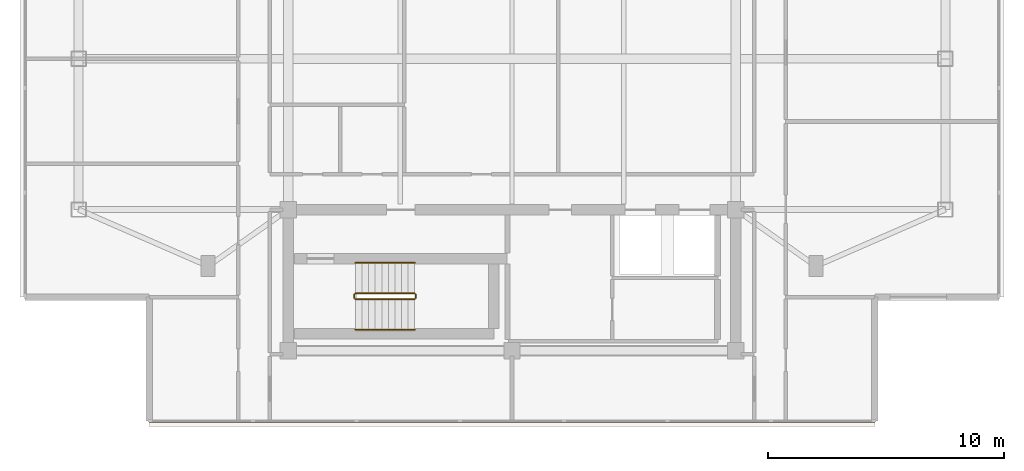
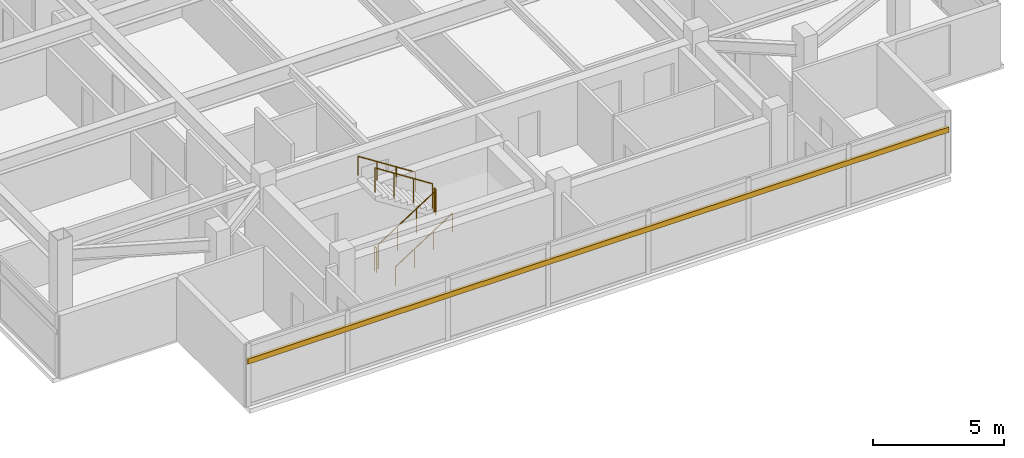
# One storey, part 9 of 11: 6 railings, 1 shading device.
"""IFC4 building model written with IfcOpenShell, lengths in metres."""

from ifc_helpers import new_model, si_unit, direction, frame, origin, origin_2d, place, context, subcontext, project, spatial, rectangle, circle, extrude, material, material_profile, profile_set, type_object, element, save


model = new_model("IFC4")

# Units and contexts
model_context = context("Model", 3, precision=1e-05, world=origin(), true_north=direction((0.0, 1.0)))
body_context = subcontext(model_context, "Body", "Model", "MODEL_VIEW")
ifc_project = project(units=[si_unit("LENGTHUNIT", "METRE"), si_unit("AREAUNIT", "SQUARE_METRE"), si_unit("VOLUMEUNIT", "CUBIC_METRE"), si_unit("PLANEANGLEUNIT", "RADIAN"), si_unit("MASSUNIT", "GRAM", prefix="KILO")], contexts=[model_context])

# Site, building, storey
site_placement = place(None, origin())
site = spatial("IfcSite", under=ifc_project, at=site_placement, CompositionType="ELEMENT")
building_placement = place(site_placement, origin())
building = spatial("IfcBuilding", under=site, at=building_placement, Name="Mirazonda Arch Towers", CompositionType="ELEMENT")
storey_placement = place(building_placement, frame((0.0, 0.0, 259.89990234375)))
storey = spatial("IfcBuildingStorey", under=building, at=storey_placement, Name="L74", CompositionType="ELEMENT", Elevation=259.89990234375)

# Shading device
ifc_material_1 = material(Name="Kiln-Fired Architectural Terracotta", Category="masonry")
ifc_material_profile = material_profile(ifc_material_1, rectangle(XDim=0.1201171875, YDim=0.239990234375, at=origin_2d()), Name="TERRA-BAG-120x240")
ifc_profile_set = profile_set([ifc_material_profile], Name="Kiln-Fired Architectural Terracotta")
shading_device_type = type_object("IfcShadingDeviceType", Name="BAGUETTE-1", PredefinedType="USERDEFINED", material=ifc_profile_set)
shading_device_placement = place(storey_placement, frame((35.905029296875, 9.416015625, 2.109619140625), z_axis=(-1.0, 0.0, 0.0), x_axis=(0.0, -1.0, 0.0)))
element("IfcShadingDevice", 1, at=shading_device_placement, inside=storey, type_object=shading_device_type, Name="L74 Glazed Terracotta Sun-Screen Baguette CW-L74-T1-S", ObjectType="BAGUETTE", PredefinedType="USERDEFINED", context=body_context, shape_type="SweptSolid", body=[
    extrude(rectangle(XDim=0.1201171875, YDim=0.239990234375, at=origin_2d()), origin(), (0.0, 0.0, 1.0), 30.81005859375),
])

# Railings
ifc_material_2 = material(Name="Architectural Brushed Steel S355", Category="steel")
railing_type_1 = type_object("IfcRailingType", Name="GUARD-STAIR-1120", PredefinedType="GUARDRAIL", material=ifc_material_2)
railing_1_placement = place(storey_placement, frame((13.85009765625, 14.60009765625, 0.18017578125)))
element("IfcRailing", 2, at=railing_1_placement, inside=storey, type_object=railing_type_1, Name="L74 ST-T1S stair guard 1", PredefinedType="GUARDRAIL", context=body_context, shape_type="SweptSolid", body=[
    extrude(circle(Radius=0.02392578125, at=origin_2d()), frame((0.0, 0.0, 1.1259765625), z_axis=(0.841199657755, 0.0, 0.540724639528), x_axis=(0.0, 1.0, 0.0)), (0.0, 0.0, 1.0), 2.995849609375),
    extrude(circle(Radius=0.02099609375, at=origin_2d()), origin(), (0.0, 0.0, 1.0), 1.101806640625),
    extrude(circle(Radius=0.02099609375, at=origin_2d()), frame((0.840087890625, 0.0, 0.5400390625)), (0.0, 0.0, 1.0), 1.101806640625),
    extrude(circle(Radius=0.02099609375, at=origin_2d()), frame((1.679931640625, 0.0, 1.079833984375)), (0.0, 0.0, 1.0), 1.101806640625),
    extrude(circle(Radius=0.02099609375, at=origin_2d()), frame((2.52001953125, 0.0, 1.619873046875)), (0.0, 0.0, 1.0), 1.101806640625),
])
railing_2_placement = place(storey_placement, frame((16.419921875, 14.64990234375, 1.800048828125)))
element("IfcRailing", 3, at=railing_2_placement, inside=storey, type_object=railing_type_1, Name="L74 ST-T1S stair guard 2", PredefinedType="GUARDRAIL", context=body_context, shape_type="SweptSolid", body=[
    extrude(circle(Radius=0.02392578125, at=origin_2d()), frame((0.0, 0.0, 1.1259765625), z_axis=(0.0, 1.0, 0.0), x_axis=(-1.0, 0.0, 0.0)), (0.0, 0.0, 1.0), 0.14013671875),
    extrude(circle(Radius=0.02099609375, at=origin_2d()), origin(), (0.0, 0.0, 1.0), 1.101806640625),
    extrude(circle(Radius=0.02099609375, at=origin_2d()), frame((0.0, 0.14013671875, 0.0)), (0.0, 0.0, 1.0), 1.101806640625),
])
railing_3_placement = place(storey_placement, frame((16.3701171875, 14.840087890625, 1.97998046875)))
element("IfcRailing", 4, at=railing_3_placement, inside=storey, type_object=railing_type_1, Name="L74 ST-T1S stair guard 3", PredefinedType="GUARDRAIL", context=body_context, shape_type="SweptSolid", body=[
    extrude(circle(Radius=0.02392578125, at=origin_2d()), frame((0.0, 0.0, 1.1259765625), z_axis=(-0.841162588446, 0.0, 0.540782303519), x_axis=(0.0, -1.0, 0.0)), (0.0, 0.0, 1.0), 2.995849609375),
    extrude(circle(Radius=0.02099609375, at=origin_2d()), origin(), (0.0, 0.0, 1.0), 1.101806640625),
    extrude(circle(Radius=0.02099609375, at=origin_2d()), frame((-0.840087890625, 0.0, 0.5400390625)), (0.0, 0.0, 1.0), 1.101806640625),
    extrude(circle(Radius=0.02099609375, at=origin_2d()), frame((-1.679931640625, 0.0, 1.080078125)), (0.0, 0.0, 1.0), 1.101806640625),
    extrude(circle(Radius=0.02099609375, at=origin_2d()), frame((-2.52001953125, 0.0, 1.6201171875)), (0.0, 0.0, 1.0), 1.101806640625),
])
railing_4_placement = place(storey_placement, frame((13.800048828125, 14.64990234375, 0.0)))
element("IfcRailing", 5, at=railing_4_placement, inside=storey, type_object=railing_type_1, Name="L74 ST-T1S stair guard 4", PredefinedType="GUARDRAIL", context=body_context, shape_type="SweptSolid", body=[
    extrude(circle(Radius=0.02392578125, at=origin_2d()), frame((0.0, 0.0, 1.1259765625), z_axis=(0.0, 1.0, 0.0), x_axis=(-1.0, 0.0, 0.0)), (0.0, 0.0, 1.0), 0.14013671875),
    extrude(circle(Radius=0.02099609375, at=origin_2d()), origin(), (0.0, 0.0, 1.0), 1.101806640625),
    extrude(circle(Radius=0.02099609375, at=origin_2d()), frame((0.0, 0.14013671875, 0.0)), (0.0, 0.0, 1.0), 1.101806640625),
])
railing_type_2 = type_object("IfcRailingType", Name="HANDRAIL-915", PredefinedType="HANDRAIL", material=ifc_material_2)
railing_5_placement = place(storey_placement, frame((13.85009765625, 13.300048828125, 0.18017578125)))
element("IfcRailing", 6, at=railing_5_placement, inside=storey, type_object=railing_type_2, Name="L74 ST-T1S stair handrail 1", PredefinedType="HANDRAIL", context=body_context, shape_type="SweptSolid", body=[
    extrude(circle(Radius=0.02392578125, at=origin_2d()), frame((0.0, 0.0, 0.8759765625), z_axis=(0.841199657755, 0.0, 0.540724639528), x_axis=(0.0, 1.0, 0.0)), (0.0, 0.0, 1.0), 2.995849609375),
    extrude(circle(Radius=0.02099609375, at=origin_2d()), origin(), (0.0, 0.0, 1.0), 0.851806640625),
    extrude(circle(Radius=0.02099609375, at=origin_2d()), frame((0.840087890625, 0.0, 0.5400390625)), (0.0, 0.0, 1.0), 0.851806640625),
    extrude(circle(Radius=0.02099609375, at=origin_2d()), frame((1.679931640625, 0.0, 1.079833984375)), (0.0, 0.0, 1.0), 0.851806640625),
    extrude(circle(Radius=0.02099609375, at=origin_2d()), frame((2.52001953125, 0.0, 1.619873046875)), (0.0, 0.0, 1.0), 0.851806640625),
])
railing_6_placement = place(storey_placement, frame((16.3701171875, 16.139892578125, 1.97998046875)))
element("IfcRailing", 7, at=railing_6_placement, inside=storey, type_object=railing_type_2, Name="L74 ST-T1S stair handrail 2", PredefinedType="HANDRAIL", context=body_context, shape_type="SweptSolid", body=[
    extrude(circle(Radius=0.02392578125, at=origin_2d()), frame((0.0, 0.0, 0.8759765625), z_axis=(-0.841162588446, 0.0, 0.540782303519), x_axis=(0.0, -1.0, 0.0)), (0.0, 0.0, 1.0), 2.995849609375),
    extrude(circle(Radius=0.02099609375, at=origin_2d()), origin(), (0.0, 0.0, 1.0), 0.851806640625),
    extrude(circle(Radius=0.02099609375, at=origin_2d()), frame((-0.840087890625, 0.0, 0.5400390625)), (0.0, 0.0, 1.0), 0.851806640625),
    extrude(circle(Radius=0.02099609375, at=origin_2d()), frame((-1.679931640625, 0.0, 1.080078125)), (0.0, 0.0, 1.0), 0.851806640625),
    extrude(circle(Radius=0.02099609375, at=origin_2d()), frame((-2.52001953125, 0.0, 1.6201171875)), (0.0, 0.0, 1.0), 0.851806640625),
])

save(model, "model.ifc")
